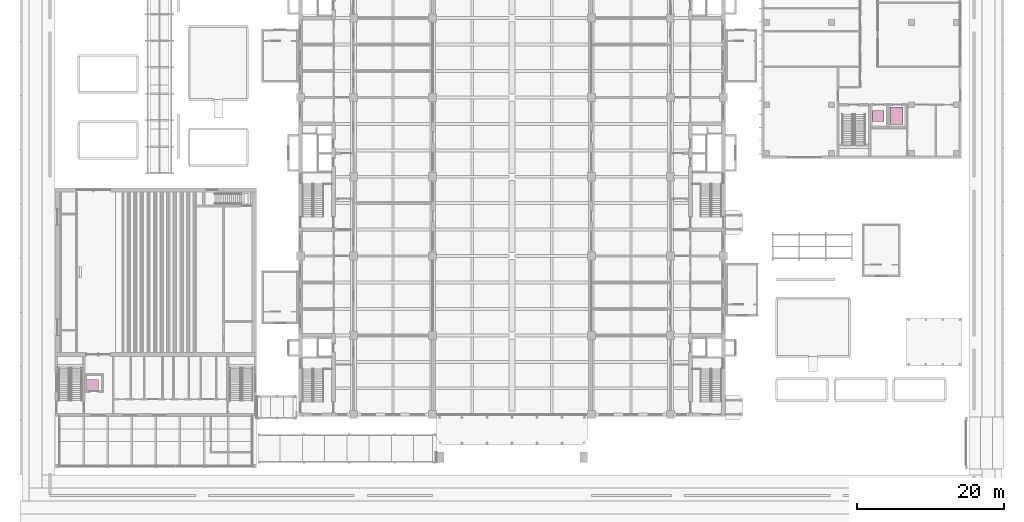
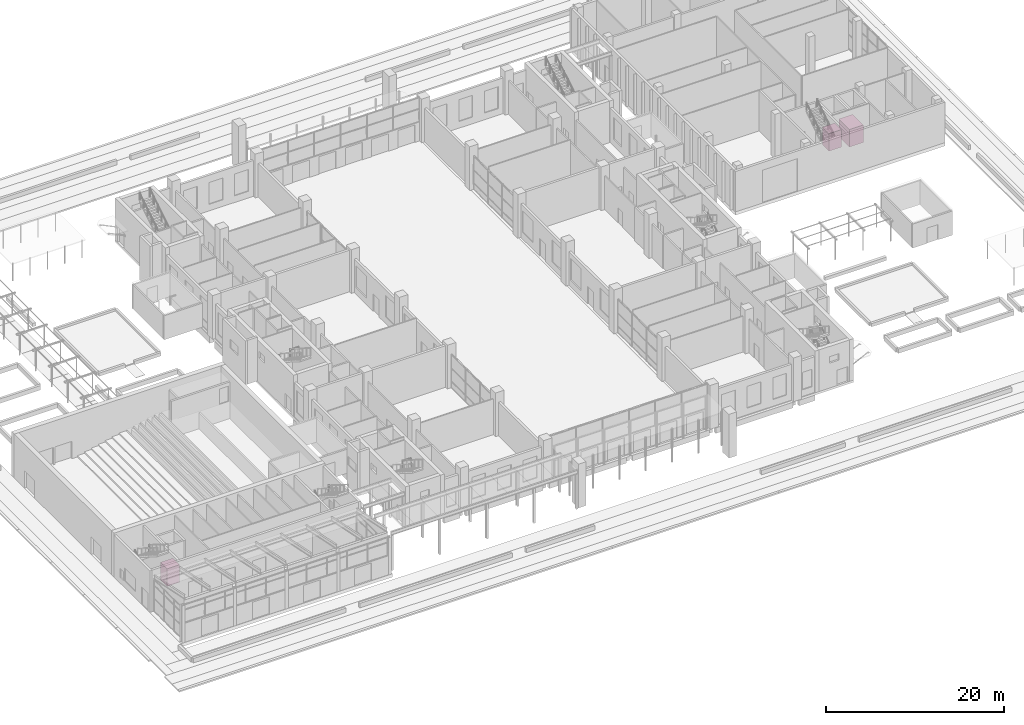
# One storey, part 71 of 71: 3 transport elements.
"""IFC4 building model written with IfcOpenShell, lengths in metres."""

from ifc_helpers import new_model, si_unit, direction, frame, origin, origin_2d, place, context, subcontext, project, spatial, rectangle, extrude, element, save


model = new_model("IFC4")

# Units and contexts
model_context = context("Model", 3, precision=1e-05, world=origin(), true_north=direction((0.0, 1.0)))
body_context = subcontext(model_context, "Body", "Model", "MODEL_VIEW")
ifc_project = project(units=[si_unit("LENGTHUNIT", "METRE"), si_unit("AREAUNIT", "SQUARE_METRE"), si_unit("VOLUMEUNIT", "CUBIC_METRE"), si_unit("PLANEANGLEUNIT", "RADIAN"), si_unit("MASSUNIT", "GRAM", prefix="KILO")], contexts=[model_context])

# Site, building, storey
site_placement = place(None, origin())
site = spatial("IfcSite", under=ifc_project, at=site_placement, CompositionType="ELEMENT")
building_placement = place(site_placement, origin())
building = spatial("IfcBuilding", under=site, at=building_placement, Name="Basin Gate Institute", CompositionType="ELEMENT")
storey_placement = place(building_placement, origin())
storey = spatial("IfcBuildingStorey", under=building, at=storey_placement, Name="L00", CompositionType="ELEMENT", Elevation=0.0)

# Transport elements
for number, where, z_axis, x_axis, name in (
    (1, (32.875, 39.175048828125, 0.0), (0.0, 0.0, 1.0), (1.0, 0.0, 0.0), "Lift LP7 car"),
    (2, (139.875, 75.800048828125, 0.0), (0.0, 0.0, 1.0), (1.0, 0.0, 0.0), "Lift LP8 car"),
):
    element("IfcTransportElement", number, at=place(storey_placement, frame(where, z_axis=z_axis, x_axis=x_axis)), inside=storey, Name=name, PredefinedType="ELEVATOR", context=body_context, shape_type="SweptSolid", body=[
        extrude(rectangle(XDim=1.60009765625, YDim=1.5, at=origin_2d()), origin(), (0.0, 0.0, 1.0), 2.39990234375),
    ])
transport_element_placement = place(storey_placement, frame((142.375, 75.800048828125, 0.0), z_axis=(0.0, 0.0, 1.0), x_axis=(1.0, 0.0, 0.0)))
element("IfcTransportElement", 3, at=transport_element_placement, inside=storey, Name="Lift LG1 car", PredefinedType="ELEVATOR", context=body_context, shape_type="SweptSolid", body=[
    extrude(rectangle(XDim=1.800048828125, YDim=2.39990234375, at=origin_2d()), origin(), (0.0, 0.0, 1.0), 2.39990234375),
])

save(model, "model.ifc")
